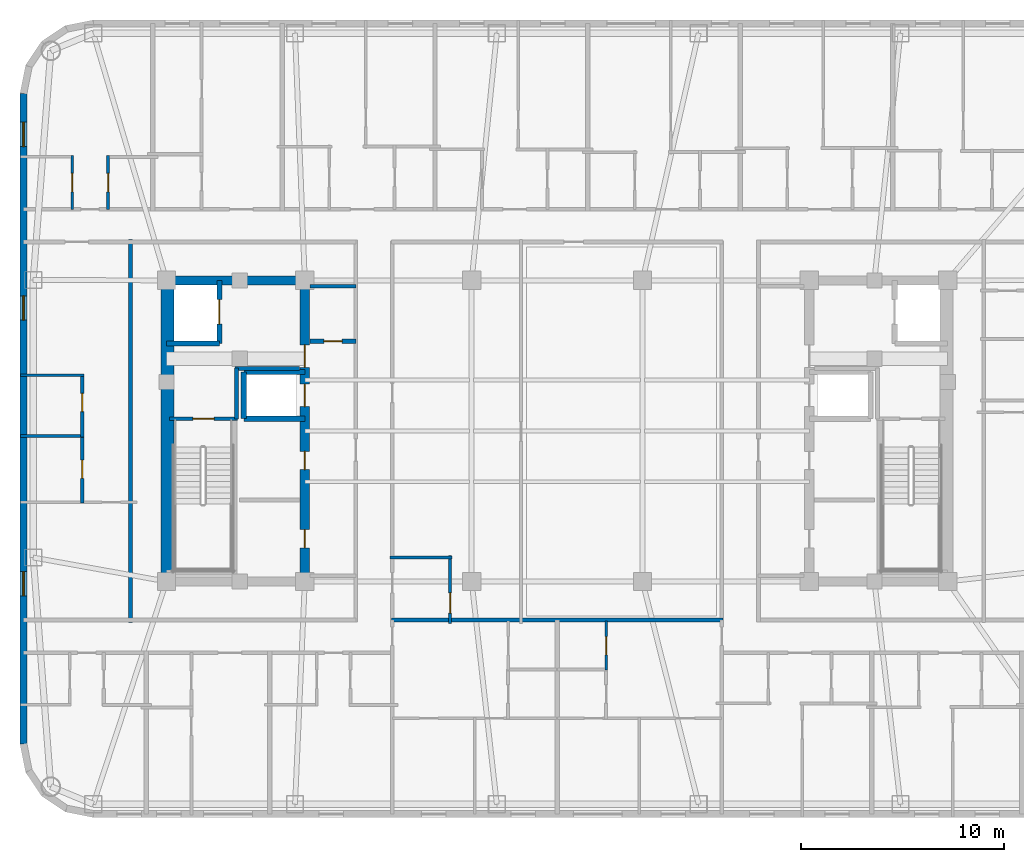
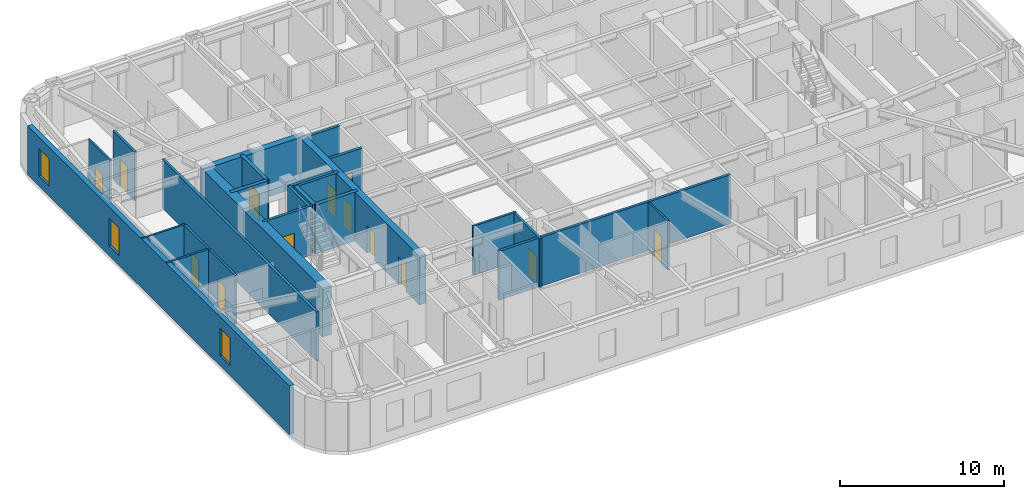
# One storey, part 4 of 11: 25 walls, 13 doors, 3 windows, 16 openings.
"""IFC4 building model written with IfcOpenShell, lengths in metres."""

from ifc_helpers import new_model, si_unit, direction, frame, frame_2d, origin, place, context, subcontext, project, spatial, rectangle, extrude, material, layer, layer_set, type_object, element, fill, save


model = new_model("IFC4")

# Units and contexts
model_context = context("Model", 3, precision=1e-05, world=origin(), true_north=direction((0.0, 1.0)))
body_context = subcontext(model_context, "Body", "Model", "MODEL_VIEW")
ifc_project = project(units=[si_unit("LENGTHUNIT", "METRE"), si_unit("AREAUNIT", "SQUARE_METRE"), si_unit("VOLUMEUNIT", "CUBIC_METRE"), si_unit("PLANEANGLEUNIT", "RADIAN"), si_unit("MASSUNIT", "GRAM", prefix="KILO")], contexts=[model_context])

# Site, building, storey
site_placement = place(None, origin())
site = spatial("IfcSite", under=ifc_project, at=site_placement, CompositionType="ELEMENT")
building_placement = place(site_placement, origin())
building = spatial("IfcBuilding", under=site, at=building_placement, Name="Voryun Gate Residences", CompositionType="ELEMENT")
storey_placement = place(building_placement, frame((0.0, 0.0, 243.10009765625)))
storey = spatial("IfcBuildingStorey", under=building, at=storey_placement, Name="L60", CompositionType="ELEMENT", Elevation=243.10009765625)

# Wall
ifc_material_1 = material(Name="Concrete C50/60", Category="concrete")
ifc_layer_1 = layer(ifc_material_1, 0.449951171875, Name="CW_CORE_450")
ifc_layer_set_1 = layer_set([ifc_layer_1], Name="Concrete C50/60")
wall_type_1 = type_object("IfcWallType", Name="CW_CORE_450", PredefinedType="SHEAR", material=ifc_layer_set_1)
wall_1_placement = place(storey_placement, frame((-19.425048828125, 7.39990234375, 0.0), z_axis=(0.0, 0.0, 1.0), x_axis=(1.0, 0.0, 0.0)))
element("IfcWall", 1, at=wall_1_placement, inside=storey, type_object=wall_type_1, Name="L60 Core shear wall CW-L60-WN", PredefinedType="SHEAR", context=body_context, shape_type="SweptSolid", body=[
    extrude(rectangle(XDim=7.25, YDim=0.449951171875, at=frame_2d((3.625, 0.0))), origin(), (0.0, 0.0, 1.0), 3.64990234375),
])

# Wall, openings, doors
wall_2_placement = place(storey_placement, frame((-12.39990234375, -7.39990234375, 0.0), z_axis=(0.0, 0.0, 1.0), x_axis=(0.0, 1.0, 0.0)))
wall_2 = element("IfcWall", 2, at=wall_2_placement, inside=storey, type_object=wall_type_1, Name="L60 Core shear wall CW-L60-WE", PredefinedType="SHEAR", context=body_context, shape_type="SweptSolid", body=[
    extrude(rectangle(XDim=14.7998046875, YDim=0.449951171875, at=frame_2d((7.39990234375, 0.0))), origin(), (0.0, 0.0, 1.0), 3.64990234375),
])
opening_1_placement = place(wall_2_placement, frame((8.60009765625, 0.0, 0.0)))
opening_1 = element("IfcOpeningElement", 3, at=opening_1_placement, cuts=wall_2, Name="Opening LD2", PredefinedType="OPENING", context=body_context, shape_type="SweptSolid", body=[
    extrude(rectangle(XDim=1.10009765625, YDim=2.050048828125, at=frame_2d((0.550048828125, 1.02490234375))), frame((0.0, 0.235107421875, 0.0), z_axis=(0.0, -1.0, 0.0), x_axis=(1.0, 0.0, 0.0)), (0.0, 0.0, 1.0), 0.469970703125),
])
opening_2_placement = place(wall_2_placement, frame((10.530029296875, 0.0, 0.0)))
opening_2 = element("IfcOpeningElement", 4, at=opening_2_placement, cuts=wall_2, Name="Opening D-FD60-2", PredefinedType="OPENING", context=body_context, shape_type="SweptSolid", body=[
    extrude(rectangle(XDim=1.10009765625, YDim=2.050048828125, at=frame_2d((0.550048828125, 1.02490234375))), frame((0.0, 0.235107421875, 0.0), z_axis=(0.0, -1.0, 0.0), x_axis=(1.0, 0.0, 0.0)), (0.0, 0.0, 1.0), 0.469970703125),
])
opening_3_placement = place(wall_2_placement, frame((1.64990234375, 0.0, 0.0)))
opening_3 = element("IfcOpeningElement", 5, at=opening_3_placement, cuts=wall_2, Name="Opening D-FD60-4", PredefinedType="OPENING", context=body_context, shape_type="SweptSolid", body=[
    extrude(rectangle(XDim=0.89990234375, YDim=2.050048828125, at=frame_2d((0.449951171875, 1.02490234375))), frame((0.0, 0.235107421875, 0.0), z_axis=(0.0, -1.0, 0.0), x_axis=(1.0, 0.0, 0.0)), (0.0, 0.0, 1.0), 0.469970703125),
])
opening_4_placement = place(wall_2_placement, frame((5.5, 0.0, 0.0)))
opening_4 = element("IfcOpeningElement", 6, at=opening_4_placement, cuts=wall_2, Name="Opening D-FD60-4", PredefinedType="OPENING", context=body_context, shape_type="SweptSolid", body=[
    extrude(rectangle(XDim=0.89990234375, YDim=2.050048828125, at=frame_2d((0.449951171875, 1.02490234375))), frame((0.0, 0.235107421875, 0.0), z_axis=(0.0, -1.0, 0.0), x_axis=(1.0, 0.0, 0.0)), (0.0, 0.0, 1.0), 0.469970703125),
])
ifc_material_2 = material(Name="Painted steel fire door", Category="steel")
door_type_1 = type_object("IfcDoorType", Name="DR_FD60_FFLOB_1100", OperationType="NOTDEFINED", PredefinedType="DOOR", material=ifc_material_2)
door_1_placement = place(opening_2_placement, origin())
door_1 = element("IfcDoor", 7, at=door_1_placement, inside=storey, type_object=door_type_1, Name="Door DR-L60-CLOB-W", OperationType="SINGLE_SWING_LEFT", OverallHeight=2.050048828125, OverallWidth=1.10009765625, PredefinedType="DOOR", context=body_context, shape_type="SweptSolid", body=[
    extrude(rectangle(XDim=1.10009765625, YDim=2.050048828125, at=frame_2d((0.550048828125, 1.02490234375))), frame((0.0, 0.02490234375, 0.0), z_axis=(0.0, -1.0, 0.0), x_axis=(1.0, 0.0, 0.0)), (0.0, 0.0, 1.0), 0.050048828125),
])
fill(opening_2, door_1)
ifc_material_3 = material(Name="Painted steel fire door", Category="steel")
door_type_2 = type_object("IfcDoorType", Name="DR_FD60_RISER_900", OperationType="NOTDEFINED", PredefinedType="DOOR", material=ifc_material_3)
door_2_placement = place(opening_3_placement, origin())
door_2 = element("IfcDoor", 8, at=door_2_placement, inside=storey, type_object=door_type_2, Name="Door DR-L60-RECW-HS", OperationType="SINGLE_SWING_LEFT", OverallHeight=2.050048828125, OverallWidth=0.89990234375, PredefinedType="DOOR", context=body_context, shape_type="SweptSolid", body=[
    extrude(rectangle(XDim=0.89990234375, YDim=2.050048828125, at=frame_2d((0.449951171875, 1.02490234375))), frame((0.0, 0.02490234375, 0.0), z_axis=(0.0, -1.0, 0.0), x_axis=(1.0, 0.0, 0.0)), (0.0, 0.0, 1.0), 0.050048828125),
])
fill(opening_3, door_2)
door_3_placement = place(opening_4_placement, origin())
door_3 = element("IfcDoor", 9, at=door_3_placement, inside=storey, type_object=door_type_2, Name="Door DR-L60-RECW-HN", OperationType="SINGLE_SWING_RIGHT", OverallHeight=2.050048828125, OverallWidth=0.89990234375, PredefinedType="DOOR", context=body_context, shape_type="SweptSolid", body=[
    extrude(rectangle(XDim=0.89990234375, YDim=2.050048828125, at=frame_2d((0.449951171875, 1.02490234375))), frame((0.0, 0.02490234375, 0.0), z_axis=(0.0, -1.0, 0.0), x_axis=(1.0, 0.0, 0.0)), (0.0, 0.0, 1.0), 0.050048828125),
])
fill(opening_4, door_3)
ifc_material_4 = material(Name="Anodised aluminium", Category="aluminium")
door_type_3 = type_object("IfcDoorType", Name="DR_LD_PASS_1100", OperationType="NOTDEFINED", PredefinedType="DOOR", material=ifc_material_4)
door_4_placement = place(opening_1_placement, origin())
door_4 = element("IfcDoor", 10, at=door_4_placement, inside=storey, type_object=door_type_3, Name="Lift EL-P7 sliding landing door L60", OperationType="SLIDING_TO_LEFT", OverallHeight=2.050048828125, OverallWidth=1.10009765625, PredefinedType="DOOR", context=body_context, shape_type="SweptSolid", body=[
    extrude(rectangle(XDim=1.10009765625, YDim=2.050048828125, at=frame_2d((0.550048828125, 1.02490234375))), frame((0.0, 0.02490234375, 0.0), z_axis=(0.0, -1.0, 0.0), x_axis=(1.0, 0.0, 0.0)), (0.0, 0.0, 1.0), 0.050048828125),
])
fill(opening_1, door_4)

# Wall
ifc_material_5 = material(Name="Concrete C60/75", Category="concrete")
ifc_layer_2 = layer(ifc_material_5, 0.64990234375, Name="CW_CORE_650")
ifc_layer_set_2 = layer_set([ifc_layer_2], Name="Concrete C60/75")
wall_type_2 = type_object("IfcWallType", Name="CW_CORE_650", PredefinedType="SHEAR", material=ifc_layer_set_2)
wall_3_placement = place(storey_placement, frame((-19.14501953125, -7.39990234375, 0.0), z_axis=(0.0, 0.0, 1.0), x_axis=(0.0, 1.0, 0.0)))
element("IfcWall", 11, at=wall_3_placement, inside=storey, type_object=wall_type_2, Name="L60 Core shear wall CW-L60-WW", PredefinedType="SHEAR", context=body_context, shape_type="SweptSolid", body=[
    extrude(rectangle(XDim=14.7998046875, YDim=0.64990234375, at=frame_2d((7.39990234375, 0.0))), origin(), (0.0, 0.0, 1.0), 3.64990234375),
])

# Wall, opening, door
ifc_material_6 = material(Name="Gypsum acoustic fireboard")
ifc_layer_3 = layer(ifc_material_6, 0.179931640625, Name="W_CORR_RATED_180")
ifc_layer_set_3 = layer_set([ifc_layer_3], Name="Gypsum acoustic fireboard")
wall_type_3 = type_object("IfcWallType", Name="W_CORR_RATED_180", PredefinedType="PARTITIONING", material=ifc_layer_set_3)
wall_4_placement = place(storey_placement, frame((-19.06005859375, 0.60009765625, 0.0), z_axis=(0.0, 0.0, 1.0), x_axis=(1.0, 0.0, 0.0)))
wall_4 = element("IfcWall", 12, at=wall_4_placement, inside=storey, type_object=wall_type_3, Name="Partition wall WP-L60-STV-W", PredefinedType="PARTITIONING", context=body_context, shape_type="SweptSolid", body=[
    extrude(rectangle(XDim=3.360107421875, YDim=0.179931640625, at=frame_2d((1.68017578125, 0.0))), origin(), (0.0, 0.0, 1.0), 3.64990234375),
])
opening_5_placement = place(wall_4_placement, frame((1.155029296875, 0.0, 0.0)))
opening_5 = element("IfcOpeningElement", 13, at=opening_5_placement, cuts=wall_4, Name="Opening D-FD60-1", PredefinedType="OPENING", context=body_context, shape_type="SweptSolid", body=[
    extrude(rectangle(XDim=1.050048828125, YDim=2.050048828125, at=frame_2d((0.52490234375, 1.02490234375))), frame((0.0, 0.099853515625, 0.0), z_axis=(0.0, -1.0, 0.0), x_axis=(1.0, 0.0, 0.0)), (0.0, 0.0, 1.0), 0.199951171875),
])
ifc_material_7 = material(Name="Painted steel fire door", Category="steel")
door_type_4 = type_object("IfcDoorType", Name="DR_FD60_STAIR_1050", OperationType="NOTDEFINED", PredefinedType="DOOR", material=ifc_material_7)
door_5_placement = place(opening_5_placement, origin())
door_5 = element("IfcDoor", 14, at=door_5_placement, inside=storey, type_object=door_type_4, Name="Door DR-L60-ST-W", OperationType="SINGLE_SWING_LEFT", OverallHeight=2.050048828125, OverallWidth=1.050048828125, PredefinedType="DOOR", context=body_context, shape_type="SweptSolid", body=[
    extrude(rectangle(XDim=1.050048828125, YDim=2.050048828125, at=frame_2d((0.52490234375, 1.02490234375))), frame((0.0, 0.02490234375, 0.0), z_axis=(0.0, -1.0, 0.0), x_axis=(1.0, 0.0, 0.0)), (0.0, 0.0, 1.0), 0.050048828125),
])
fill(opening_5, door_5)

# Walls
wall_5_placement = place(storey_placement, frame((-12.14990234375, 7.1201171875, 0.0), z_axis=(0.0, 0.0, 1.0), x_axis=(1.0, 0.0, 0.0)))
element("IfcWall", 15, at=wall_5_placement, inside=storey, type_object=wall_type_3, Name="Partition wall WP-L60-PLBN-W", PredefinedType="PARTITIONING", context=body_context, shape_type="SweptSolid", body=[
    extrude(rectangle(XDim=2.27001953125, YDim=0.179931640625, at=frame_2d((1.135009765625, 0.0))), origin(), (0.0, 0.0, 1.0), 3.64990234375),
])
wall_6_placement = place(storey_placement, frame((-8.14990234375, -9.2900390625, 0.0), z_axis=(0.0, 0.0, 1.0), x_axis=(1.0, 0.0, 0.0)))
element("IfcWall", 16, at=wall_6_placement, inside=storey, type_object=wall_type_3, Name="Partition wall WP-L60-Z3S", PredefinedType="PARTITIONING", context=body_context, shape_type="SweptSolid", body=[
    extrude(rectangle(XDim=16.2998046875, YDim=0.179931640625, at=frame_2d((8.14990234375, 0.0))), origin(), (0.0, 0.0, 1.0), 3.64990234375),
])
wall_7_placement = place(storey_placement, frame((-20.969970703125, -9.409912109375, 0.0), z_axis=(0.0, 0.0, 1.0), x_axis=(0.0, 1.0, 0.0)))
element("IfcWall", 17, at=wall_7_placement, inside=storey, type_object=wall_type_3, Name="Partition wall WP-L60-WCOR", PredefinedType="PARTITIONING", context=body_context, shape_type="SweptSolid", body=[
    extrude(rectangle(XDim=18.81982421875, YDim=0.179931640625, at=frame_2d((9.409912109375, 0.0))), origin(), (0.0, 0.0, 1.0), 3.64990234375),
])

# Wall, openings, windows
ifc_material_8 = material(Name="Charcoal terracotta masonry", Category="masonry")
ifc_layer_4 = layer(ifc_material_8, 0.340087890625, Name="W_EXT_TERRACOTTA_340")
ifc_layer_set_4 = layer_set([ifc_layer_4], Name="Charcoal terracotta masonry")
wall_type_4 = type_object("IfcWallType", Name="W_EXT_TERRACOTTA_340", PredefinedType="ELEMENTEDWALL", material=ifc_layer_set_4)
wall_8_placement = place(storey_placement, frame((-26.22998046875, -15.38330078125, 0.0), z_axis=(0.0, 0.0, 1.0), x_axis=(0.0, 1.0, 0.0)))
wall_8 = element("IfcWall", 18, at=wall_8_placement, inside=storey, type_object=wall_type_4, Name="Exterior wall WEXT-L60-06", PredefinedType="ELEMENTEDWALL", context=body_context, shape_type="SweptSolid", body=[
    extrude(rectangle(XDim=31.966552734375, YDim=0.340087890625, at=frame_2d((15.9833984375, 0.0))), origin(), (0.0, 0.0, 1.0), 3.64990234375),
])
opening_6_placement = place(wall_8_placement, frame((29.35986328125, 0.0, 0.75)))
opening_6 = element("IfcOpeningElement", 19, at=opening_6_placement, cuts=wall_8, Name="Opening WN6", PredefinedType="OPENING", context=body_context, shape_type="SweptSolid", body=[
    extrude(rectangle(XDim=1.199951171875, YDim=2.050048828125, at=frame_2d((0.60009765625, 1.02490234375))), frame((0.0, 0.179931640625, 0.0), z_axis=(0.0, -1.0, 0.0), x_axis=(1.0, 0.0, 0.0)), (0.0, 0.0, 1.0), 0.360107421875),
])
opening_7_placement = place(wall_8_placement, frame((20.828369140625, 0.0, 0.75)))
opening_7 = element("IfcOpeningElement", 20, at=opening_7_placement, cuts=wall_8, Name="Opening WN6", PredefinedType="OPENING", context=body_context, shape_type="SweptSolid", body=[
    extrude(rectangle(XDim=1.199951171875, YDim=2.050048828125, at=frame_2d((0.60009765625, 1.02490234375))), frame((0.0, 0.179931640625, 0.0), z_axis=(0.0, -1.0, 0.0), x_axis=(1.0, 0.0, 0.0)), (0.0, 0.0, 1.0), 0.360107421875),
])
opening_8_placement = place(wall_8_placement, frame((7.273193359375, 0.0, 0.75)))
opening_8 = element("IfcOpeningElement", 21, at=opening_8_placement, cuts=wall_8, Name="Opening WN6", PredefinedType="OPENING", context=body_context, shape_type="SweptSolid", body=[
    extrude(rectangle(XDim=1.199951171875, YDim=2.050048828125, at=frame_2d((0.60009765625, 1.02490234375))), frame((0.0, 0.179931640625, 0.0), z_axis=(0.0, -1.0, 0.0), x_axis=(1.0, 0.0, 0.0)), (0.0, 0.0, 1.0), 0.360107421875),
])
ifc_material_9 = material(Name="Laminated low-E glass", Category="glass")
window_type = type_object("IfcWindowType", Name="WN_POD_SLOT_1200", PartitioningType="SINGLE_PANEL", PredefinedType="WINDOW", material=ifc_material_9)
window_1_placement = place(opening_6_placement, origin())
window_1 = element("IfcWindow", 22, at=window_1_placement, inside=storey, type_object=window_type, Name="Window WN-L60-DWFIX-01", OverallHeight=2.050048828125, OverallWidth=1.199951171875, PartitioningType="SINGLE_PANEL", PredefinedType="WINDOW", context=body_context, shape_type="SweptSolid", body=[
    extrude(rectangle(XDim=1.199951171875, YDim=2.050048828125, at=frame_2d((0.60009765625, 1.02490234375))), frame((0.0, 0.030029296875, 0.0), z_axis=(0.0, -1.0, 0.0), x_axis=(1.0, 0.0, 0.0)), (0.0, 0.0, 1.0), 0.06005859375),
])
fill(opening_6, window_1)
window_2_placement = place(opening_7_placement, origin())
window_2 = element("IfcWindow", 23, at=window_2_placement, inside=storey, type_object=window_type, Name="Window WN-L60-DWFIX-26", OverallHeight=2.050048828125, OverallWidth=1.199951171875, PartitioningType="SINGLE_PANEL", PredefinedType="WINDOW", context=body_context, shape_type="SweptSolid", body=[
    extrude(rectangle(XDim=1.199951171875, YDim=2.050048828125, at=frame_2d((0.60009765625, 1.02490234375))), frame((0.0, 0.030029296875, 0.0), z_axis=(0.0, -1.0, 0.0), x_axis=(1.0, 0.0, 0.0)), (0.0, 0.0, 1.0), 0.06005859375),
])
fill(opening_7, window_2)
window_3_placement = place(opening_8_placement, origin())
window_3 = element("IfcWindow", 24, at=window_3_placement, inside=storey, type_object=window_type, Name="Window WN-L60-DWFIX-27", OverallHeight=2.050048828125, OverallWidth=1.199951171875, PartitioningType="SINGLE_PANEL", PredefinedType="WINDOW", context=body_context, shape_type="SweptSolid", body=[
    extrude(rectangle(XDim=1.199951171875, YDim=2.050048828125, at=frame_2d((0.60009765625, 1.02490234375))), frame((0.0, 0.030029296875, 0.0), z_axis=(0.0, -1.0, 0.0), x_axis=(1.0, 0.0, 0.0)), (0.0, 0.0, 1.0), 0.06005859375),
])
fill(opening_8, window_3)

# Walls
ifc_material_10 = material(Name="Concrete C40/50", Category="concrete")
ifc_layer_5 = layer(ifc_material_10, 0.199951171875, Name="W_FF_LOBBY_200")
ifc_layer_set_5 = layer_set([ifc_layer_5], Name="Concrete C40/50")
wall_type_5 = type_object("IfcWallType", Name="W_FF_LOBBY_200", PredefinedType="PARTITIONING", material=ifc_layer_set_5)
wall_9_placement = place(storey_placement, frame((-15.760009765625, 0.580078125, 0.0), z_axis=(0.0, 0.0, 1.0), x_axis=(0.0, 1.0, 0.0)))
element("IfcWall", 25, at=wall_9_placement, inside=storey, type_object=wall_type_5, Name="Partition wall WP-L60-FFP0-W", PredefinedType="PARTITIONING", context=body_context, shape_type="SweptSolid", body=[
    extrude(rectangle(XDim=2.52001953125, YDim=0.199951171875, at=frame_2d((1.260009765625, 0.0))), origin(), (0.0, 0.0, 1.0), 3.64990234375),
])
wall_10_placement = place(storey_placement, frame((-15.820068359375, 3.06005859375, 0.0), z_axis=(0.0, 0.0, 1.0), x_axis=(1.0, 0.0, 0.0)))
element("IfcWall", 26, at=wall_10_placement, inside=storey, type_object=wall_type_5, Name="Partition wall WP-L60-FFPS-W", PredefinedType="PARTITIONING", context=body_context, shape_type="SweptSolid", body=[
    extrude(rectangle(XDim=3.16015625, YDim=0.199951171875, at=frame_2d((1.580078125, 0.0))), origin(), (0.0, 0.0, 1.0), 3.64990234375),
])

# Wall, opening, door
wall_11_placement = place(storey_placement, frame((-12.14990234375, 4.409912109375, 0.0), z_axis=(0.0, 0.0, 1.0), x_axis=(1.0, 0.0, 0.0)))
wall_11 = element("IfcWall", 27, at=wall_11_placement, inside=storey, type_object=wall_type_5, Name="Partition wall WP-L60-CSFLKS-W", PredefinedType="PARTITIONING", context=body_context, shape_type="SweptSolid", body=[
    extrude(rectangle(XDim=2.27001953125, YDim=0.199951171875, at=frame_2d((1.135009765625, 0.0))), origin(), (0.0, 0.0, 1.0), 3.64990234375),
])
opening_9_placement = place(wall_11_placement, frame((0.68505859375, 0.0, 0.0)))
opening_9 = element("IfcOpeningElement", 28, at=opening_9_placement, cuts=wall_11, Name="Opening D-FD60-4", PredefinedType="OPENING", context=body_context, shape_type="SweptSolid", body=[
    extrude(rectangle(XDim=0.89990234375, YDim=2.050048828125, at=frame_2d((0.449951171875, 1.02490234375))), frame((0.0, 0.110107421875, 0.0), z_axis=(0.0, -1.0, 0.0), x_axis=(1.0, 0.0, 0.0)), (0.0, 0.0, 1.0), 0.219970703125),
])
door_6_placement = place(opening_9_placement, origin())
door_6 = element("IfcDoor", 29, at=door_6_placement, inside=storey, type_object=door_type_2, Name="Door DR-L60-CSFLK-W", OperationType="SINGLE_SWING_LEFT", OverallHeight=2.050048828125, OverallWidth=0.89990234375, PredefinedType="DOOR", context=body_context, shape_type="SweptSolid", body=[
    extrude(rectangle(XDim=0.89990234375, YDim=2.050048828125, at=frame_2d((0.449951171875, 1.02490234375))), frame((0.0, 0.02490234375, 0.0), z_axis=(0.0, -1.0, 0.0), x_axis=(1.0, 0.0, 0.0)), (0.0, 0.0, 1.0), 0.050048828125),
])
fill(opening_9, door_6)

# Wall
ifc_material_11 = material(Name="Concrete C50/60", Category="concrete")
ifc_layer_6 = layer(ifc_material_11, 0.25, Name="W_SHAFT_RC250")
ifc_layer_set_6 = layer_set([ifc_layer_6], Name="Concrete C50/60")
wall_type_6 = type_object("IfcWallType", Name="W_SHAFT_RC250", PredefinedType="SOLIDWALL", material=ifc_layer_set_6)
wall_12_placement = place(storey_placement, frame((-19.199951171875, 4.300048828125, 0.0), z_axis=(0.0, 0.0, 1.0), x_axis=(1.0, 0.0, 0.0)))
element("IfcWall", 30, at=wall_12_placement, inside=storey, type_object=wall_type_6, Name="Lift shaft wall WSH-L60-EL-FF-W1-S", PredefinedType="SOLIDWALL", context=body_context, shape_type="SweptSolid", body=[
    extrude(rectangle(XDim=2.599853515625, YDim=0.25, at=frame_2d((1.2998046875, 0.0))), origin(), (0.0, 0.0, 1.0), 3.64990234375),
])

# Wall, opening, door
wall_13_placement = place(storey_placement, frame((-16.60009765625, 4.300048828125, 0.0), z_axis=(0.0, 0.0, 1.0), x_axis=(0.0, 1.0, 0.0)))
wall_13 = element("IfcWall", 31, at=wall_13_placement, inside=storey, type_object=wall_type_6, Name="Lift shaft wall WSH-L60-EL-FF-W1-E", PredefinedType="SOLIDWALL", context=body_context, shape_type="SweptSolid", body=[
    extrude(rectangle(XDim=3.099853515625, YDim=0.25, at=frame_2d((1.5498046875, 0.0))), origin(), (0.0, 0.0, 1.0), 3.64990234375),
])
opening_10_placement = place(wall_13_placement, frame((0.949951171875, 0.0, 0.0)))
opening_10 = element("IfcOpeningElement", 32, at=opening_10_placement, cuts=wall_13, Name="Opening LD1", PredefinedType="OPENING", context=body_context, shape_type="SweptSolid", body=[
    extrude(rectangle(XDim=1.199951171875, YDim=2.050048828125, at=frame_2d((0.60009765625, 1.02490234375))), frame((0.0, 0.135009765625, 0.0), z_axis=(0.0, -1.0, 0.0), x_axis=(1.0, 0.0, 0.0)), (0.0, 0.0, 1.0), 0.27001953125),
])
ifc_material_12 = material(Name="Anodised aluminium", Category="aluminium")
door_type_5 = type_object("IfcDoorType", Name="DR_LD_FF_1200", OperationType="NOTDEFINED", PredefinedType="DOOR", material=ifc_material_12)
door_7_placement = place(opening_10_placement, origin())
door_7 = element("IfcDoor", 33, at=door_7_placement, inside=storey, type_object=door_type_5, Name="Lift EL-FF-W1 sliding landing door L60", OperationType="SLIDING_TO_LEFT", OverallHeight=2.050048828125, OverallWidth=1.199951171875, PredefinedType="DOOR", context=body_context, shape_type="SweptSolid", body=[
    extrude(rectangle(XDim=1.199951171875, YDim=2.050048828125, at=frame_2d((0.60009765625, 1.02490234375))), frame((0.0, 0.02490234375, 0.0), z_axis=(0.0, -1.0, 0.0), x_axis=(1.0, 0.0, 0.0)), (0.0, 0.0, 1.0), 0.050048828125),
])
fill(opening_10, door_7)

# Walls
for number, where, z_axis, x_axis, name in (
    (34, (-15.39990234375, 0.60009765625, 0.0), (0.0, 0.0, 1.0), (1.0, 0.0, 0.0), "Lift shaft wall WSH-L60-EL-P7-S"),
    (35, (-12.39990234375, 2.89990234375, 0.0), (0.0, 0.0, 1.0), (-1.0, 0.0, 0.0), "Lift shaft wall WSH-L60-EL-P7-N"),
):
    element("IfcWall", number, at=place(storey_placement, frame(where, z_axis=z_axis, x_axis=x_axis)), inside=storey, type_object=wall_type_6, Name=name, PredefinedType="SOLIDWALL", context=body_context, shape_type="SweptSolid", body=[
        extrude(rectangle(XDim=3.0, YDim=0.25, at=frame_2d((1.5, 0.0))), origin(), (0.0, 0.0, 1.0), 3.64990234375),
    ])
wall_14_placement = place(storey_placement, frame((-15.39990234375, 2.89990234375, 0.0), z_axis=(0.0, 0.0, 1.0), x_axis=(0.0, -1.0, 0.0)))
element("IfcWall", 36, at=wall_14_placement, inside=storey, type_object=wall_type_6, Name="Lift shaft wall WSH-L60-EL-P7-W", PredefinedType="SOLIDWALL", context=body_context, shape_type="SweptSolid", body=[
    extrude(rectangle(XDim=2.2998046875, YDim=0.25, at=frame_2d((1.14990234375, 0.0))), origin(), (0.0, 0.0, 1.0), 3.64990234375),
])

# Wall, opening, door
ifc_material_13 = material(Name="Gypsum acoustic partition")
ifc_layer_7 = layer(ifc_material_13, 0.125, Name="W_UNIT_PART_125")
ifc_layer_set_7 = layer_set([ifc_layer_7], Name="Gypsum acoustic partition")
wall_type_7 = type_object("IfcWallType", Name="W_UNIT_PART_125", PredefinedType="PARTITIONING", material=ifc_layer_set_7)
wall_15_placement = place(storey_placement, frame((-23.839111328125, 10.8798828125, 0.0), z_axis=(0.0, 0.0, 1.0), x_axis=(0.0, 1.0, 0.0)))
wall_15 = element("IfcWall", 37, at=wall_15_placement, inside=storey, type_object=wall_type_7, Name="Partition wall WP-L60-N1-CVK", PredefinedType="PARTITIONING", context=body_context, shape_type="SweptSolid", body=[
    extrude(rectangle(XDim=2.650146484375, YDim=0.125, at=frame_2d((1.3251953125, 0.0))), origin(), (0.0, 0.0, 1.0), 3.64990234375),
])
opening_11_placement = place(wall_15_placement, frame((0.875, 0.0, 0.0)))
opening_11 = element("IfcOpeningElement", 38, at=opening_11_placement, cuts=wall_15, Name="Opening D-INT-2", PredefinedType="OPENING", context=body_context, shape_type="SweptSolid", body=[
    extrude(rectangle(XDim=0.89990234375, YDim=2.050048828125, at=frame_2d((0.449951171875, 1.02490234375))), frame((0.0, 0.072509765625, 0.0), z_axis=(0.0, -1.0, 0.0), x_axis=(1.0, 0.0, 0.0)), (0.0, 0.0, 1.0), 0.14501953125),
])
ifc_material_14 = material(Name="Architectural oak veneer")
door_type_6 = type_object("IfcDoorType", Name="DR_INT_BATH_900", OperationType="NOTDEFINED", PredefinedType="DOOR", material=ifc_material_14)
door_8_placement = place(opening_11_placement, origin())
door_8 = element("IfcDoor", 39, at=door_8_placement, inside=storey, type_object=door_type_6, Name="Door DR-L60-N1-DK", OperationType="SINGLE_SWING_LEFT", OverallHeight=2.050048828125, OverallWidth=0.89990234375, PredefinedType="DOOR", context=body_context, shape_type="SweptSolid", body=[
    extrude(rectangle(XDim=0.89990234375, YDim=2.050048828125, at=frame_2d((0.449951171875, 1.02490234375))), frame((0.0, 0.02490234375, 0.0), z_axis=(0.0, -1.0, 0.0), x_axis=(1.0, 0.0, 0.0)), (0.0, 0.0, 1.0), 0.050048828125),
])
fill(opening_11, door_8)

wall_16_placement = place(storey_placement, frame((2.409912109375, -11.760009765625, 0.0), z_axis=(0.0, 0.0, 1.0), x_axis=(0.0, 1.0, 0.0)))
wall_16 = element("IfcWall", 40, at=wall_16_placement, inside=storey, type_object=wall_type_7, Name="Partition wall WP-L60-SC2-VK1", PredefinedType="PARTITIONING", context=body_context, shape_type="SweptSolid", body=[
    extrude(rectangle(XDim=2.409912109375, YDim=0.125, at=frame_2d((1.205078125, 0.0))), origin(), (0.0, 0.0, 1.0), 3.64990234375),
])
opening_12_placement = place(wall_16_placement, frame((0.7548828125, 0.0, 0.0)))
opening_12 = element("IfcOpeningElement", 41, at=opening_12_placement, cuts=wall_16, Name="Opening D-INT-2", PredefinedType="OPENING", context=body_context, shape_type="SweptSolid", body=[
    extrude(rectangle(XDim=0.89990234375, YDim=2.050048828125, at=frame_2d((0.449951171875, 1.02490234375))), frame((0.0, 0.072509765625, 0.0), z_axis=(0.0, -1.0, 0.0), x_axis=(1.0, 0.0, 0.0)), (0.0, 0.0, 1.0), 0.14501953125),
])
door_9_placement = place(opening_12_placement, origin())
door_9 = element("IfcDoor", 42, at=door_9_placement, inside=storey, type_object=door_type_6, Name="Door DR-L60-SC2-DK", OperationType="SINGLE_SWING_LEFT", OverallHeight=2.050048828125, OverallWidth=0.89990234375, PredefinedType="DOOR", context=body_context, shape_type="SweptSolid", body=[
    extrude(rectangle(XDim=0.89990234375, YDim=2.050048828125, at=frame_2d((0.449951171875, 1.02490234375))), frame((0.0, 0.02490234375, 0.0), z_axis=(0.0, -1.0, 0.0), x_axis=(1.0, 0.0, 0.0)), (0.0, 0.0, 1.0), 0.050048828125),
])
fill(opening_12, door_9)

# Wall
wall_17_placement = place(storey_placement, frame((-26.3798828125, 2.739990234375, 0.0), z_axis=(0.0, 0.0, 1.0), x_axis=(1.0, 0.0, 0.0)))
element("IfcWall", 43, at=wall_17_placement, inside=storey, type_object=wall_type_7, Name="Partition wall WP-L60-W1-HZ1", PredefinedType="PARTITIONING", context=body_context, shape_type="SweptSolid", body=[
    extrude(rectangle(XDim=3.119873046875, YDim=0.125, at=frame_2d((1.56005859375, 0.0))), origin(), (0.0, 0.0, 1.0), 3.64990234375),
])

# Wall, opening, door
ifc_material_15 = material(Name="Gypsum moisture-resistant partition")
ifc_layer_8 = layer(ifc_material_15, 0.14990234375, Name="W_WET_PLUMB_150")
ifc_layer_set_8 = layer_set([ifc_layer_8], Name="Gypsum moisture-resistant partition")
wall_type_8 = type_object("IfcWallType", Name="W_WET_PLUMB_150", PredefinedType="PLUMBINGWALL", material=ifc_layer_set_8)
wall_18_placement = place(storey_placement, frame((-5.260009765625, -9.469970703125, 0.0), z_axis=(0.0, 0.0, 1.0), x_axis=(0.0, 1.0, 0.0)))
wall_18 = element("IfcWall", 44, at=wall_18_placement, inside=storey, type_object=wall_type_8, Name="Partition wall WP-L60-CMWCX", PredefinedType="PLUMBINGWALL", context=body_context, shape_type="SweptSolid", body=[
    extrude(rectangle(XDim=3.349853515625, YDim=0.14990234375, at=frame_2d((1.6748046875, 0.0))), origin(), (0.0, 0.0, 1.0), 3.64990234375),
])
opening_13_placement = place(wall_18_placement, frame((0.514892578125, 0.0, 0.0)))
opening_13 = element("IfcOpeningElement", 45, at=opening_13_placement, cuts=wall_18, Name="Opening D-AWC-1", PredefinedType="OPENING", context=body_context, shape_type="SweptSolid", body=[
    extrude(rectangle(XDim=1.0, YDim=2.050048828125, at=frame_2d((0.5, 1.02490234375))), frame((0.0, 0.0849609375, 0.0), z_axis=(0.0, -1.0, 0.0), x_axis=(1.0, 0.0, 0.0)), (0.0, 0.0, 1.0), 0.169921875),
])
ifc_material_16 = material(Name="Architectural oak veneer")
door_type_7 = type_object("IfcDoorType", Name="DR_ACC_WC_1000", OperationType="NOTDEFINED", PredefinedType="DOOR", material=ifc_material_16)
door_10_placement = place(opening_13_placement, origin())
door_10 = element("IfcDoor", 46, at=door_10_placement, inside=storey, type_object=door_type_7, Name="Door DR-L60-CMWC", OperationType="SINGLE_SWING_LEFT", OverallHeight=2.050048828125, OverallWidth=1.0, PredefinedType="DOOR", context=body_context, shape_type="SweptSolid", body=[
    extrude(rectangle(XDim=1.0, YDim=2.050048828125, at=frame_2d((0.5, 1.02490234375))), frame((0.0, 0.02490234375, 0.0), z_axis=(0.0, -1.0, 0.0), x_axis=(1.0, 0.0, 0.0)), (0.0, 0.0, 1.0), 0.050048828125),
])
fill(opening_13, door_10)

# Wall
wall_19_placement = place(storey_placement, frame((-8.2099609375, -6.219970703125, 0.0), z_axis=(0.0, 0.0, 1.0), x_axis=(1.0, 0.0, 0.0)))
element("IfcWall", 47, at=wall_19_placement, inside=storey, type_object=wall_type_8, Name="Partition wall WP-L60-CMWCY", PredefinedType="PLUMBINGWALL", context=body_context, shape_type="SweptSolid", body=[
    extrude(rectangle(XDim=3.050048828125, YDim=0.14990234375, at=frame_2d((1.52490234375, 0.0))), origin(), (0.0, 0.0, 1.0), 3.64990234375),
])

# Wall, opening, door
wall_20_placement = place(storey_placement, frame((-22.072998046875, 10.8798828125, 0.0), z_axis=(0.0, 0.0, 1.0), x_axis=(0.0, 1.0, 0.0)))
wall_20 = element("IfcWall", 48, at=wall_20_placement, inside=storey, type_object=wall_type_8, Name="Partition wall WP-L60-N1-CVB", PredefinedType="PLUMBINGWALL", context=body_context, shape_type="SweptSolid", body=[
    extrude(rectangle(XDim=2.650146484375, YDim=0.14990234375, at=frame_2d((1.3251953125, 0.0))), origin(), (0.0, 0.0, 1.0), 3.64990234375),
])
opening_14_placement = place(wall_20_placement, frame((0.875, 0.0, 0.0)))
opening_14 = element("IfcOpeningElement", 49, at=opening_14_placement, cuts=wall_20, Name="Opening D-INT-2", PredefinedType="OPENING", context=body_context, shape_type="SweptSolid", body=[
    extrude(rectangle(XDim=0.89990234375, YDim=2.050048828125, at=frame_2d((0.449951171875, 1.02490234375))), frame((0.0, 0.0849609375, 0.0), z_axis=(0.0, -1.0, 0.0), x_axis=(1.0, 0.0, 0.0)), (0.0, 0.0, 1.0), 0.169921875),
])
door_11_placement = place(opening_14_placement, origin())
door_11 = element("IfcDoor", 50, at=door_11_placement, inside=storey, type_object=door_type_6, Name="Door DR-L60-N1-DB", OperationType="SINGLE_SWING_RIGHT", OverallHeight=2.050048828125, OverallWidth=0.89990234375, PredefinedType="DOOR", context=body_context, shape_type="SweptSolid", body=[
    extrude(rectangle(XDim=0.89990234375, YDim=2.050048828125, at=frame_2d((0.449951171875, 1.02490234375))), frame((0.0, 0.02490234375, 0.0), z_axis=(0.0, -1.0, 0.0), x_axis=(1.0, 0.0, 0.0)), (0.0, 0.0, 1.0), 0.050048828125),
])
fill(opening_14, door_11)

# Wall
wall_21_placement = place(storey_placement, frame((-26.3798828125, -0.260009765625, 0.0), z_axis=(0.0, 0.0, 1.0), x_axis=(1.0, 0.0, 0.0)))
element("IfcWall", 51, at=wall_21_placement, inside=storey, type_object=wall_type_8, Name="Partition wall WP-L60-W1-HZ2", PredefinedType="PLUMBINGWALL", context=body_context, shape_type="SweptSolid", body=[
    extrude(rectangle(XDim=3.119873046875, YDim=0.14990234375, at=frame_2d((1.56005859375, 0.0))), origin(), (0.0, 0.0, 1.0), 3.64990234375),
])

# Wall, opening, door
wall_22_placement = place(storey_placement, frame((-23.340087890625, -3.550048828125, 0.0), z_axis=(0.0, 0.0, 1.0), x_axis=(0.0, 1.0, 0.0)))
wall_22 = element("IfcWall", 52, at=wall_22_placement, inside=storey, type_object=wall_type_8, Name="Partition wall WP-L60-W1-VKB1", PredefinedType="PLUMBINGWALL", context=body_context, shape_type="SweptSolid", body=[
    extrude(rectangle(XDim=3.330078125, YDim=0.14990234375, at=frame_2d((1.6650390625, 0.0))), origin(), (0.0, 0.0, 1.0), 3.64990234375),
])
opening_15_placement = place(wall_22_placement, frame((1.215087890625, 0.0, 0.0)))
opening_15 = element("IfcOpeningElement", 53, at=opening_15_placement, cuts=wall_22, Name="Opening D-INT-2", PredefinedType="OPENING", context=body_context, shape_type="SweptSolid", body=[
    extrude(rectangle(XDim=0.89990234375, YDim=2.050048828125, at=frame_2d((0.449951171875, 1.02490234375))), frame((0.0, 0.0849609375, 0.0), z_axis=(0.0, -1.0, 0.0), x_axis=(1.0, 0.0, 0.0)), (0.0, 0.0, 1.0), 0.169921875),
])
door_12_placement = place(opening_15_placement, origin())
door_12 = element("IfcDoor", 54, at=door_12_placement, inside=storey, type_object=door_type_6, Name="Door DR-L60-W1-DB", OperationType="SINGLE_SWING_LEFT", OverallHeight=2.050048828125, OverallWidth=0.89990234375, PredefinedType="DOOR", context=body_context, shape_type="SweptSolid", body=[
    extrude(rectangle(XDim=0.89990234375, YDim=2.050048828125, at=frame_2d((0.449951171875, 1.02490234375))), frame((0.0, 0.02490234375, 0.0), z_axis=(0.0, -1.0, 0.0), x_axis=(1.0, 0.0, 0.0)), (0.0, 0.0, 1.0), 0.050048828125),
])
fill(opening_15, door_12)

wall_23_placement = place(storey_placement, frame((-23.340087890625, -0.300048828125, 0.0), z_axis=(0.0, 0.0, 1.0), x_axis=(0.0, 1.0, 0.0)))
wall_23 = element("IfcWall", 55, at=wall_23_placement, inside=storey, type_object=wall_type_8, Name="Partition wall WP-L60-W1-VKB2", PredefinedType="PLUMBINGWALL", context=body_context, shape_type="SweptSolid", body=[
    extrude(rectangle(XDim=3.080078125, YDim=0.14990234375, at=frame_2d((1.5400390625, 0.0))), origin(), (0.0, 0.0, 1.0), 3.64990234375),
])
opening_16_placement = place(wall_23_placement, frame((1.243896484375, 0.0, 0.0)))
opening_16 = element("IfcOpeningElement", 56, at=opening_16_placement, cuts=wall_23, Name="Opening D-INT-2", PredefinedType="OPENING", context=body_context, shape_type="SweptSolid", body=[
    extrude(rectangle(XDim=0.89990234375, YDim=2.050048828125, at=frame_2d((0.449951171875, 1.02490234375))), frame((0.0, 0.0849609375, 0.0), z_axis=(0.0, -1.0, 0.0), x_axis=(1.0, 0.0, 0.0)), (0.0, 0.0, 1.0), 0.169921875),
])
door_13_placement = place(opening_16_placement, origin())
door_13 = element("IfcDoor", 57, at=door_13_placement, inside=storey, type_object=door_type_6, Name="Door DR-L60-W1-DK", OperationType="SINGLE_SWING_RIGHT", OverallHeight=2.050048828125, OverallWidth=0.89990234375, PredefinedType="DOOR", context=body_context, shape_type="SweptSolid", body=[
    extrude(rectangle(XDim=0.89990234375, YDim=2.050048828125, at=frame_2d((0.449951171875, 1.02490234375))), frame((0.0, 0.02490234375, 0.0), z_axis=(0.0, -1.0, 0.0), x_axis=(1.0, 0.0, 0.0)), (0.0, 0.0, 1.0), 0.050048828125),
])
fill(opening_16, door_13)

save(model, "model.ifc")
